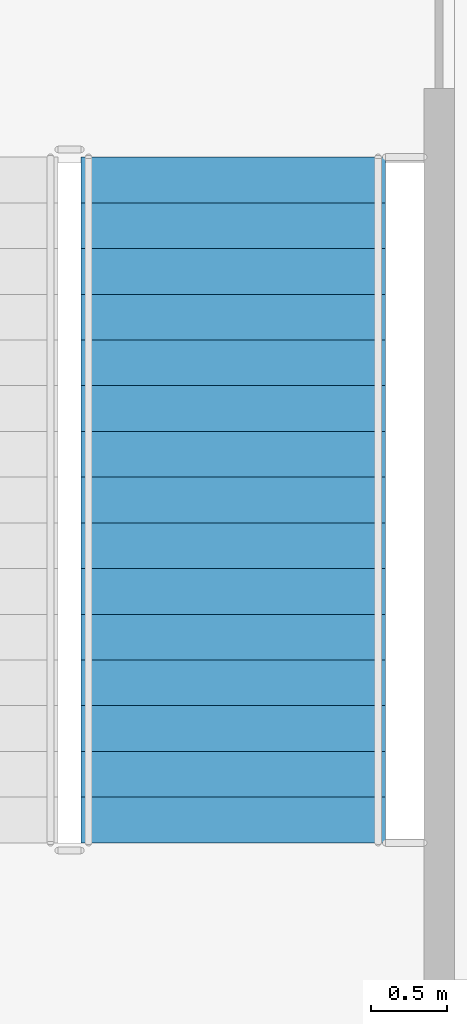
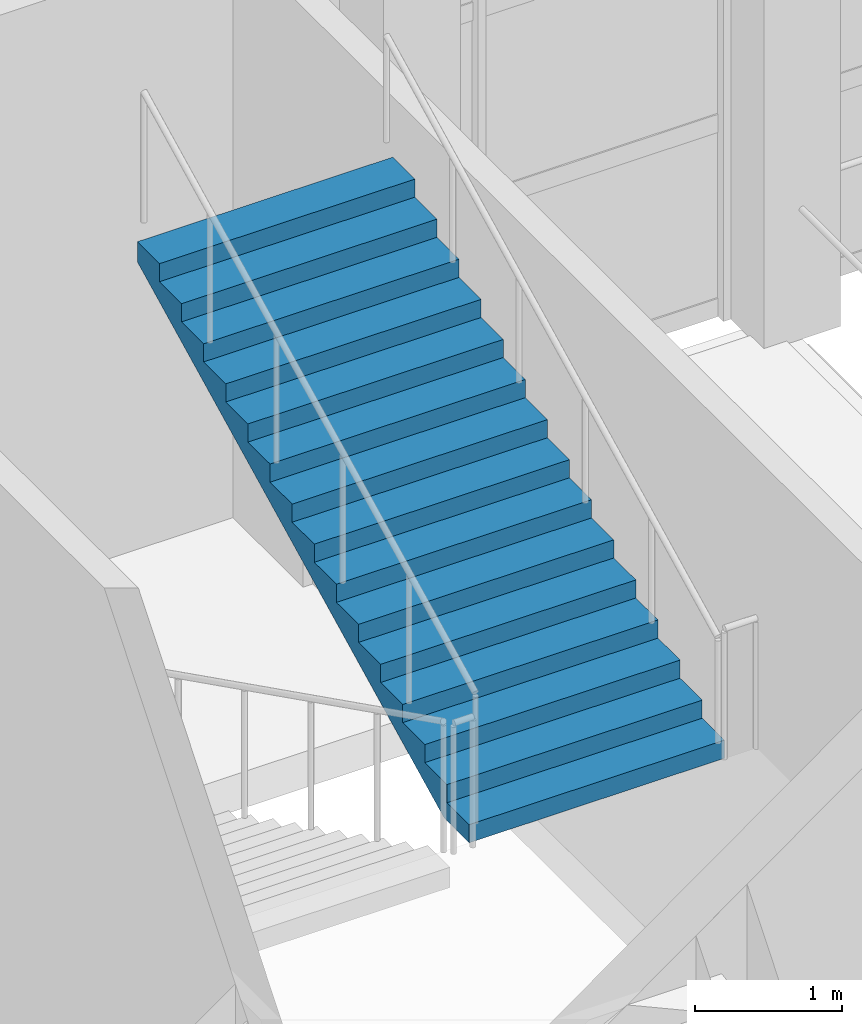
# One storey, part 65 of 86: 1 stair flight, 1 element without a shape of its own.
"""IFC4 building model written with IfcOpenShell, lengths in metres."""

from ifc_helpers import new_model, si_unit, direction, frame, origin, place, context, subcontext, project, spatial, faceted_brep, material, type_object, element, aggregate, save


model = new_model("IFC4")

# Units and contexts
model_context = context("Model", 3, precision=1e-05, world=origin(), true_north=direction((0.0, 1.0)))
body_context = subcontext(model_context, "Body", "Model", "MODEL_VIEW")
ifc_project = project(units=[si_unit("LENGTHUNIT", "METRE"), si_unit("AREAUNIT", "SQUARE_METRE"), si_unit("VOLUMEUNIT", "CUBIC_METRE"), si_unit("PLANEANGLEUNIT", "RADIAN"), si_unit("MASSUNIT", "GRAM", prefix="KILO")], contexts=[model_context])

# Site, building, storey
site_placement = place(None, origin())
site = spatial("IfcSite", under=ifc_project, at=site_placement, CompositionType="ELEMENT")
building_placement = place(site_placement, origin())
building = spatial("IfcBuilding", under=site, at=building_placement, Name="Kiln Court Media Centre", CompositionType="ELEMENT")
storey_placement = place(building_placement, frame((0.0, 0.0, 10.199951171875)))
storey = spatial("IfcBuildingStorey", under=building, at=storey_placement, Name="L02", CompositionType="ELEMENT", Elevation=10.199951171875)

# Stair, stair flight
ifc_material_1 = material(Name="Concrete C40/50", Category="concrete")
stair_type = type_object("IfcStairType", Name="Concrete C40/50 dog-leg stair 2000 wide, 150 riser", PredefinedType="HALF_TURN_STAIR", material=ifc_material_1)
stair_placement = place(storey_placement, origin())
stair = element("IfcStair", 1, at=stair_placement, inside=storey, type_object=stair_type, Name="ST-08 L02", PredefinedType="HALF_TURN_STAIR")
ifc_material_2 = material(Name="Concrete C40/50", Category="concrete")
stair_flight_type = type_object("IfcStairFlightType", Name="Concrete C40/50 stair flight 2000 wide, 150 riser, 300 going", PredefinedType="STRAIGHT", material=ifc_material_2)
stair_flight_placement = place(storey_placement, frame((32.14990234375, 59.89990234375, 2.400146484375), z_axis=(0.0, 0.0, 1.0), x_axis=(0.0, 1.0, 0.0)))
stair_flight = element("IfcStairFlight", 2, at=stair_flight_placement, type_object=stair_flight_type, Name="L02-ST-5007 flight 5015", NumberOfRisers=16, NumberOfTreads=15, PredefinedType="STRAIGHT", RiserHeight=0.15, TreadLength=0.3, context=body_context, shape_type="Brep", body=[
    faceted_brep([(0.335205078125, -1.0, 0.0), (4.5, -1.0, 2.08251953125), (4.5, -1.0, 2.25), (4.199951171875, -1.0, 2.25), (4.199951171875, -1.0, 2.10009765625), (3.89990234375, -1.0, 2.10009765625), (3.89990234375, -1.0, 1.949951171875), (3.60009765625, -1.0, 1.949951171875), (3.60009765625, -1.0, 1.800048828125), (3.300048828125, -1.0, 1.800048828125), (3.300048828125, -1.0, 1.64990234375), (3.0, -1.0, 1.64990234375), (3.0, -1.0, 1.5), (2.699951171875, -1.0, 1.5), (2.699951171875, -1.0, 1.35009765625), (2.39990234375, -1.0, 1.35009765625), (2.39990234375, -1.0, 1.199951171875), (2.10009765625, -1.0, 1.199951171875), (2.10009765625, -1.0, 1.050048828125), (1.800048828125, -1.0, 1.050048828125), (1.800048828125, -1.0, 0.89990234375), (1.5, -1.0, 0.89990234375), (1.5, -1.0, 0.75), (1.199951171875, -1.0, 0.75), (1.199951171875, -1.0, 0.60009765625), (0.89990234375, -1.0, 0.60009765625), (0.89990234375, -1.0, 0.449951171875), (0.60009765625, -1.0, 0.449951171875), (0.60009765625, -1.0, 0.300048828125), (0.300048828125, -1.0, 0.300048828125), (0.300048828125, -1.0, 0.14990234375), (0.0, -1.0, 0.14990234375), (0.0, -1.0, 0.0), (0.0, 1.0, 0.0), (0.0, 1.0, 0.14990234375), (0.300048828125, 1.0, 0.14990234375), (0.300048828125, 1.0, 0.300048828125), (0.60009765625, 1.0, 0.300048828125), (0.60009765625, 1.0, 0.449951171875), (0.89990234375, 1.0, 0.449951171875), (0.89990234375, 1.0, 0.60009765625), (1.199951171875, 1.0, 0.60009765625), (1.199951171875, 1.0, 0.75), (1.5, 1.0, 0.75), (1.5, 1.0, 0.89990234375), (1.800048828125, 1.0, 0.89990234375), (1.800048828125, 1.0, 1.050048828125), (2.10009765625, 1.0, 1.050048828125), (2.10009765625, 1.0, 1.199951171875), (2.39990234375, 1.0, 1.199951171875), (2.39990234375, 1.0, 1.35009765625), (2.699951171875, 1.0, 1.35009765625), (2.699951171875, 1.0, 1.5), (3.0, 1.0, 1.5), (3.0, 1.0, 1.64990234375), (3.300048828125, 1.0, 1.64990234375), (3.300048828125, 1.0, 1.800048828125), (3.60009765625, 1.0, 1.800048828125), (3.60009765625, 1.0, 1.949951171875), (3.89990234375, 1.0, 1.949951171875), (3.89990234375, 1.0, 2.10009765625), (4.199951171875, 1.0, 2.10009765625), (4.199951171875, 1.0, 2.25), (4.5, 1.0, 2.25), (4.5, 1.0, 2.08251953125), (0.335205078125, 1.0, 0.0), (4.5, 0.10009765625, 2.08251953125), (0.335205078125, 0.10009765625, 0.0), (4.5, 0.080078125, 2.08251953125), (0.335205078125, 0.080078125, 0.0), (4.5, 0.06005859375, 2.08251953125), (0.335205078125, 0.06005859375, 0.0), (4.5, 0.0400390625, 2.08251953125), (0.335205078125, 0.0400390625, 0.0), (4.5, 0.02001953125, 2.08251953125), (0.335205078125, 0.02001953125, 0.0), (4.5, 0.0, 2.08251953125), (0.335205078125, 0.0, 0.0), (4.5, -0.02001953125, 2.08251953125), (0.335205078125, -0.02001953125, 0.0), (4.5, -0.0400390625, 2.08251953125), (0.335205078125, -0.0400390625, 0.0), (4.5, -0.06005859375, 2.08251953125), (0.335205078125, -0.06005859375, 0.0), (4.5, -0.080078125, 2.08251953125), (0.335205078125, -0.080078125, 0.0), (4.5, -0.10009765625, 2.08251953125), (0.335205078125, -0.10009765625, 0.0), (4.5, 0.10009765625, 2.25), (4.5, 0.080078125, 2.25), (4.5, 0.06005859375, 2.25), (4.5, 0.0400390625, 2.25), (4.5, 0.02001953125, 2.25), (4.5, 0.0, 2.25), (4.5, -0.02001953125, 2.25), (4.5, -0.0400390625, 2.25), (4.5, -0.06005859375, 2.25), (4.5, -0.080078125, 2.25), (4.5, -0.10009765625, 2.25), (4.199951171875, 0.10009765625, 2.25), (4.199951171875, 0.080078125, 2.25), (4.199951171875, 0.06005859375, 2.25), (4.199951171875, 0.0400390625, 2.25), (4.199951171875, 0.02001953125, 2.25), (4.199951171875, 0.0, 2.25), (4.199951171875, -0.02001953125, 2.25), (4.199951171875, -0.0400390625, 2.25), (4.199951171875, -0.06005859375, 2.25), (4.199951171875, -0.080078125, 2.25), (4.199951171875, -0.10009765625, 2.25), (4.199951171875, 0.10009765625, 2.10009765625), (4.199951171875, 0.080078125, 2.10009765625), (4.199951171875, 0.06005859375, 2.10009765625), (4.199951171875, 0.0400390625, 2.10009765625), (4.199951171875, 0.02001953125, 2.10009765625), (4.199951171875, 0.0, 2.10009765625), (4.199951171875, -0.02001953125, 2.10009765625), (4.199951171875, -0.0400390625, 2.10009765625), (4.199951171875, -0.06005859375, 2.10009765625), (4.199951171875, -0.080078125, 2.10009765625), (4.199951171875, -0.10009765625, 2.10009765625), (3.89990234375, 0.10009765625, 2.10009765625), (3.89990234375, 0.080078125, 2.10009765625), (3.89990234375, 0.06005859375, 2.10009765625), (3.89990234375, 0.0400390625, 2.10009765625), (3.89990234375, 0.02001953125, 2.10009765625), (3.89990234375, 0.0, 2.10009765625), (3.89990234375, -0.02001953125, 2.10009765625), (3.89990234375, -0.0400390625, 2.10009765625), (3.89990234375, -0.06005859375, 2.10009765625), (3.89990234375, -0.080078125, 2.10009765625), (3.89990234375, -0.10009765625, 2.10009765625), (3.89990234375, 0.10009765625, 1.949951171875), (3.89990234375, 0.080078125, 1.949951171875), (3.89990234375, 0.06005859375, 1.949951171875), (3.89990234375, 0.0400390625, 1.949951171875), (3.89990234375, 0.02001953125, 1.949951171875), (3.89990234375, 0.0, 1.949951171875), (3.89990234375, -0.02001953125, 1.949951171875), (3.89990234375, -0.0400390625, 1.949951171875), (3.89990234375, -0.06005859375, 1.949951171875), (3.89990234375, -0.080078125, 1.949951171875), (3.89990234375, -0.10009765625, 1.949951171875), (3.60009765625, 0.10009765625, 1.949951171875), (3.60009765625, 0.080078125, 1.949951171875), (3.60009765625, 0.06005859375, 1.949951171875), (3.60009765625, 0.0400390625, 1.949951171875), (3.60009765625, 0.02001953125, 1.949951171875), (3.60009765625, 0.0, 1.949951171875), (3.60009765625, -0.02001953125, 1.949951171875), (3.60009765625, -0.0400390625, 1.949951171875), (3.60009765625, -0.06005859375, 1.949951171875), (3.60009765625, -0.080078125, 1.949951171875), (3.60009765625, -0.10009765625, 1.949951171875), (3.60009765625, 0.10009765625, 1.800048828125), (3.60009765625, 0.080078125, 1.800048828125), (3.60009765625, 0.06005859375, 1.800048828125), (3.60009765625, 0.0400390625, 1.800048828125), (3.60009765625, 0.02001953125, 1.800048828125), (3.60009765625, 0.0, 1.800048828125), (3.60009765625, -0.02001953125, 1.800048828125), (3.60009765625, -0.0400390625, 1.800048828125), (3.60009765625, -0.06005859375, 1.800048828125), (3.60009765625, -0.080078125, 1.800048828125), (3.60009765625, -0.10009765625, 1.800048828125), (3.300048828125, 0.10009765625, 1.800048828125), (3.300048828125, 0.080078125, 1.800048828125), (3.300048828125, 0.06005859375, 1.800048828125), (3.300048828125, 0.0400390625, 1.800048828125), (3.300048828125, 0.02001953125, 1.800048828125), (3.300048828125, 0.0, 1.800048828125), (3.300048828125, -0.02001953125, 1.800048828125), (3.300048828125, -0.0400390625, 1.800048828125), (3.300048828125, -0.06005859375, 1.800048828125), (3.300048828125, -0.080078125, 1.800048828125), (3.300048828125, -0.10009765625, 1.800048828125), (3.300048828125, 0.10009765625, 1.64990234375), (3.300048828125, 0.080078125, 1.64990234375), (3.300048828125, 0.06005859375, 1.64990234375), (3.300048828125, 0.0400390625, 1.64990234375), (3.300048828125, 0.02001953125, 1.64990234375), (3.300048828125, 0.0, 1.64990234375), (3.300048828125, -0.02001953125, 1.64990234375), (3.300048828125, -0.0400390625, 1.64990234375), (3.300048828125, -0.06005859375, 1.64990234375), (3.300048828125, -0.080078125, 1.64990234375), (3.300048828125, -0.10009765625, 1.64990234375), (3.0, 0.10009765625, 1.64990234375), (3.0, 0.080078125, 1.64990234375), (3.0, 0.06005859375, 1.64990234375), (3.0, 0.0400390625, 1.64990234375), (3.0, 0.02001953125, 1.64990234375), (3.0, 0.0, 1.64990234375), (3.0, -0.02001953125, 1.64990234375), (3.0, -0.0400390625, 1.64990234375), (3.0, -0.06005859375, 1.64990234375), (3.0, -0.080078125, 1.64990234375), (3.0, -0.10009765625, 1.64990234375), (3.0, 0.10009765625, 1.5), (3.0, 0.080078125, 1.5), (3.0, 0.06005859375, 1.5), (3.0, 0.0400390625, 1.5), (3.0, 0.02001953125, 1.5), (3.0, 0.0, 1.5), (3.0, -0.02001953125, 1.5), (3.0, -0.0400390625, 1.5), (3.0, -0.06005859375, 1.5), (3.0, -0.080078125, 1.5), (3.0, -0.10009765625, 1.5), (2.699951171875, 0.10009765625, 1.5), (2.699951171875, 0.080078125, 1.5), (2.699951171875, 0.06005859375, 1.5), (2.699951171875, 0.0400390625, 1.5), (2.699951171875, 0.02001953125, 1.5), (2.699951171875, 0.0, 1.5), (2.699951171875, -0.02001953125, 1.5), (2.699951171875, -0.0400390625, 1.5), (2.699951171875, -0.06005859375, 1.5), (2.699951171875, -0.080078125, 1.5), (2.699951171875, -0.10009765625, 1.5), (2.699951171875, 0.10009765625, 1.35009765625), (2.699951171875, 0.080078125, 1.35009765625), (2.699951171875, 0.06005859375, 1.35009765625), (2.699951171875, 0.0400390625, 1.35009765625), (2.699951171875, 0.02001953125, 1.35009765625), (2.699951171875, 0.0, 1.35009765625), (2.699951171875, -0.02001953125, 1.35009765625), (2.699951171875, -0.0400390625, 1.35009765625), (2.699951171875, -0.06005859375, 1.35009765625), (2.699951171875, -0.080078125, 1.35009765625), (2.699951171875, -0.10009765625, 1.35009765625), (2.39990234375, 0.10009765625, 1.35009765625), (2.39990234375, 0.080078125, 1.35009765625), (2.39990234375, 0.06005859375, 1.35009765625), (2.39990234375, 0.0400390625, 1.35009765625), (2.39990234375, 0.02001953125, 1.35009765625), (2.39990234375, 0.0, 1.35009765625), (2.39990234375, -0.02001953125, 1.35009765625), (2.39990234375, -0.0400390625, 1.35009765625), (2.39990234375, -0.06005859375, 1.35009765625), (2.39990234375, -0.080078125, 1.35009765625), (2.39990234375, -0.10009765625, 1.35009765625), (2.39990234375, 0.10009765625, 1.199951171875), (2.39990234375, 0.080078125, 1.199951171875), (2.39990234375, 0.06005859375, 1.199951171875), (2.39990234375, 0.0400390625, 1.199951171875), (2.39990234375, 0.02001953125, 1.199951171875), (2.39990234375, 0.0, 1.199951171875), (2.39990234375, -0.02001953125, 1.199951171875), (2.39990234375, -0.0400390625, 1.199951171875), (2.39990234375, -0.06005859375, 1.199951171875), (2.39990234375, -0.080078125, 1.199951171875), (2.39990234375, -0.10009765625, 1.199951171875), (2.10009765625, 0.10009765625, 1.199951171875), (2.10009765625, 0.080078125, 1.199951171875), (2.10009765625, 0.06005859375, 1.199951171875), (2.10009765625, 0.0400390625, 1.199951171875), (2.10009765625, 0.02001953125, 1.199951171875), (2.10009765625, 0.0, 1.199951171875), (2.10009765625, -0.02001953125, 1.199951171875), (2.10009765625, -0.0400390625, 1.199951171875), (2.10009765625, -0.06005859375, 1.199951171875), (2.10009765625, -0.080078125, 1.199951171875), (2.10009765625, -0.10009765625, 1.199951171875), (2.10009765625, 0.10009765625, 1.050048828125), (2.10009765625, 0.080078125, 1.050048828125), (2.10009765625, 0.06005859375, 1.050048828125), (2.10009765625, 0.0400390625, 1.050048828125), (2.10009765625, 0.02001953125, 1.050048828125), (2.10009765625, 0.0, 1.050048828125), (2.10009765625, -0.02001953125, 1.050048828125), (2.10009765625, -0.0400390625, 1.050048828125), (2.10009765625, -0.06005859375, 1.050048828125), (2.10009765625, -0.080078125, 1.050048828125), (2.10009765625, -0.10009765625, 1.050048828125), (1.800048828125, 0.10009765625, 1.050048828125), (1.800048828125, 0.080078125, 1.050048828125), (1.800048828125, 0.06005859375, 1.050048828125), (1.800048828125, 0.0400390625, 1.050048828125), (1.800048828125, 0.02001953125, 1.050048828125), (1.800048828125, 0.0, 1.050048828125), (1.800048828125, -0.02001953125, 1.050048828125), (1.800048828125, -0.0400390625, 1.050048828125), (1.800048828125, -0.06005859375, 1.050048828125), (1.800048828125, -0.080078125, 1.050048828125), (1.800048828125, -0.10009765625, 1.050048828125), (1.800048828125, 0.10009765625, 0.89990234375), (1.800048828125, 0.080078125, 0.89990234375), (1.800048828125, 0.06005859375, 0.89990234375), (1.800048828125, 0.0400390625, 0.89990234375), (1.800048828125, 0.02001953125, 0.89990234375), (1.800048828125, 0.0, 0.89990234375), (1.800048828125, -0.02001953125, 0.89990234375), (1.800048828125, -0.0400390625, 0.89990234375), (1.800048828125, -0.06005859375, 0.89990234375), (1.800048828125, -0.080078125, 0.89990234375), (1.800048828125, -0.10009765625, 0.89990234375), (1.5, 0.10009765625, 0.89990234375), (1.5, 0.080078125, 0.89990234375), (1.5, 0.06005859375, 0.89990234375), (1.5, 0.0400390625, 0.89990234375), (1.5, 0.02001953125, 0.89990234375), (1.5, 0.0, 0.89990234375), (1.5, -0.02001953125, 0.89990234375), (1.5, -0.0400390625, 0.89990234375), (1.5, -0.06005859375, 0.89990234375), (1.5, -0.080078125, 0.89990234375), (1.5, -0.10009765625, 0.89990234375), (1.5, 0.10009765625, 0.75), (1.5, 0.080078125, 0.75), (1.5, 0.06005859375, 0.75), (1.5, 0.0400390625, 0.75), (1.5, 0.02001953125, 0.75), (1.5, 0.0, 0.75), (1.5, -0.02001953125, 0.75), (1.5, -0.0400390625, 0.75), (1.5, -0.06005859375, 0.75), (1.5, -0.080078125, 0.75), (1.5, -0.10009765625, 0.75), (1.199951171875, 0.10009765625, 0.75), (1.199951171875, 0.080078125, 0.75), (1.199951171875, 0.06005859375, 0.75), (1.199951171875, 0.0400390625, 0.75), (1.199951171875, 0.02001953125, 0.75), (1.199951171875, 0.0, 0.75), (1.199951171875, -0.02001953125, 0.75), (1.199951171875, -0.0400390625, 0.75), (1.199951171875, -0.06005859375, 0.75), (1.199951171875, -0.080078125, 0.75), (1.199951171875, -0.10009765625, 0.75), (1.199951171875, 0.10009765625, 0.60009765625), (1.199951171875, 0.080078125, 0.60009765625), (1.199951171875, 0.06005859375, 0.60009765625), (1.199951171875, 0.0400390625, 0.60009765625), (1.199951171875, 0.02001953125, 0.60009765625), (1.199951171875, 0.0, 0.60009765625), (1.199951171875, -0.02001953125, 0.60009765625), (1.199951171875, -0.0400390625, 0.60009765625), (1.199951171875, -0.06005859375, 0.60009765625), (1.199951171875, -0.080078125, 0.60009765625), (1.199951171875, -0.10009765625, 0.60009765625), (0.89990234375, 0.10009765625, 0.60009765625), (0.89990234375, 0.080078125, 0.60009765625), (0.89990234375, 0.06005859375, 0.60009765625), (0.89990234375, 0.0400390625, 0.60009765625), (0.89990234375, 0.02001953125, 0.60009765625), (0.89990234375, 0.0, 0.60009765625), (0.89990234375, -0.02001953125, 0.60009765625), (0.89990234375, -0.0400390625, 0.60009765625), (0.89990234375, -0.06005859375, 0.60009765625), (0.89990234375, -0.080078125, 0.60009765625), (0.89990234375, -0.10009765625, 0.60009765625), (0.89990234375, 0.10009765625, 0.449951171875), (0.89990234375, 0.080078125, 0.449951171875), (0.89990234375, 0.06005859375, 0.449951171875), (0.89990234375, 0.0400390625, 0.449951171875), (0.89990234375, 0.02001953125, 0.449951171875), (0.89990234375, 0.0, 0.449951171875), (0.89990234375, -0.02001953125, 0.449951171875), (0.89990234375, -0.0400390625, 0.449951171875), (0.89990234375, -0.06005859375, 0.449951171875), (0.89990234375, -0.080078125, 0.449951171875), (0.89990234375, -0.10009765625, 0.449951171875), (0.60009765625, 0.10009765625, 0.449951171875), (0.60009765625, 0.080078125, 0.449951171875), (0.60009765625, 0.06005859375, 0.449951171875), (0.60009765625, 0.0400390625, 0.449951171875), (0.60009765625, 0.02001953125, 0.449951171875), (0.60009765625, 0.0, 0.449951171875), (0.60009765625, -0.02001953125, 0.449951171875), (0.60009765625, -0.0400390625, 0.449951171875), (0.60009765625, -0.06005859375, 0.449951171875), (0.60009765625, -0.080078125, 0.449951171875), (0.60009765625, -0.10009765625, 0.449951171875), (0.60009765625, 0.10009765625, 0.300048828125), (0.60009765625, 0.080078125, 0.300048828125), (0.60009765625, 0.06005859375, 0.300048828125), (0.60009765625, 0.0400390625, 0.300048828125), (0.60009765625, 0.02001953125, 0.300048828125), (0.60009765625, 0.0, 0.300048828125), (0.60009765625, -0.02001953125, 0.300048828125), (0.60009765625, -0.0400390625, 0.300048828125), (0.60009765625, -0.06005859375, 0.300048828125), (0.60009765625, -0.080078125, 0.300048828125), (0.60009765625, -0.10009765625, 0.300048828125), (0.300048828125, 0.10009765625, 0.300048828125), (0.300048828125, 0.080078125, 0.300048828125), (0.300048828125, 0.06005859375, 0.300048828125), (0.300048828125, 0.0400390625, 0.300048828125), (0.300048828125, 0.02001953125, 0.300048828125), (0.300048828125, 0.0, 0.300048828125), (0.300048828125, -0.02001953125, 0.300048828125), (0.300048828125, -0.0400390625, 0.300048828125), (0.300048828125, -0.06005859375, 0.300048828125), (0.300048828125, -0.080078125, 0.300048828125), (0.300048828125, -0.10009765625, 0.300048828125), (0.300048828125, 0.10009765625, 0.14990234375), (0.300048828125, 0.080078125, 0.14990234375), (0.300048828125, 0.06005859375, 0.14990234375), (0.300048828125, 0.0400390625, 0.14990234375), (0.300048828125, 0.02001953125, 0.14990234375), (0.300048828125, 0.0, 0.14990234375), (0.300048828125, -0.02001953125, 0.14990234375), (0.300048828125, -0.0400390625, 0.14990234375), (0.300048828125, -0.06005859375, 0.14990234375), (0.300048828125, -0.080078125, 0.14990234375), (0.300048828125, -0.10009765625, 0.14990234375), (0.0, 0.10009765625, 0.14990234375), (0.0, 0.080078125, 0.14990234375), (0.0, 0.06005859375, 0.14990234375), (0.0, 0.0400390625, 0.14990234375), (0.0, 0.02001953125, 0.14990234375), (0.0, 0.0, 0.14990234375), (0.0, -0.02001953125, 0.14990234375), (0.0, -0.0400390625, 0.14990234375), (0.0, -0.06005859375, 0.14990234375), (0.0, -0.080078125, 0.14990234375), (0.0, -0.10009765625, 0.14990234375), (0.0, 0.10009765625, 0.0), (0.0, 0.080078125, 0.0), (0.0, 0.06005859375, 0.0), (0.0, 0.0400390625, 0.0), (0.0, 0.02001953125, 0.0), (0.0, 0.0, 0.0), (0.0, -0.02001953125, 0.0), (0.0, -0.0400390625, 0.0), (0.0, -0.06005859375, 0.0), (0.0, -0.080078125, 0.0), (0.0, -0.10009765625, 0.0)], [[[0, 1, 2, 3, 4, 5, 6, 7, 8, 9, 10, 11, 12, 13, 14, 15, 16, 17, 18, 19, 20, 21, 22, 23, 24, 25, 26, 27, 28, 29, 30, 31, 32]], [[33, 34, 35, 36, 37, 38, 39, 40, 41, 42, 43, 44, 45, 46, 47, 48, 49, 50, 51, 52, 53, 54, 55, 56, 57, 58, 59, 60, 61, 62, 63, 64, 65]], [[65, 64, 66, 67]], [[67, 66, 68, 69]], [[69, 68, 70, 71]], [[71, 70, 72, 73]], [[73, 72, 74, 75]], [[75, 74, 76, 77]], [[77, 76, 78, 79]], [[79, 78, 80, 81]], [[81, 80, 82, 83]], [[83, 82, 84, 85]], [[85, 84, 86, 87]], [[87, 86, 1, 0]], [[64, 63, 88, 66]], [[66, 88, 89, 68]], [[68, 89, 90, 70]], [[70, 90, 91, 72]], [[72, 91, 92, 74]], [[74, 92, 93, 76]], [[76, 93, 94, 78]], [[78, 94, 95, 80]], [[80, 95, 96, 82]], [[82, 96, 97, 84]], [[84, 97, 98, 86]], [[86, 98, 2, 1]], [[63, 62, 99, 88]], [[88, 99, 100, 89]], [[89, 100, 101, 90]], [[90, 101, 102, 91]], [[91, 102, 103, 92]], [[92, 103, 104, 93]], [[93, 104, 105, 94]], [[94, 105, 106, 95]], [[95, 106, 107, 96]], [[96, 107, 108, 97]], [[97, 108, 109, 98]], [[98, 109, 3, 2]], [[62, 61, 110, 99]], [[99, 110, 111, 100]], [[100, 111, 112, 101]], [[101, 112, 113, 102]], [[102, 113, 114, 103]], [[103, 114, 115, 104]], [[104, 115, 116, 105]], [[105, 116, 117, 106]], [[106, 117, 118, 107]], [[107, 118, 119, 108]], [[108, 119, 120, 109]], [[109, 120, 4, 3]], [[61, 60, 121, 110]], [[110, 121, 122, 111]], [[111, 122, 123, 112]], [[112, 123, 124, 113]], [[113, 124, 125, 114]], [[114, 125, 126, 115]], [[115, 126, 127, 116]], [[116, 127, 128, 117]], [[117, 128, 129, 118]], [[118, 129, 130, 119]], [[119, 130, 131, 120]], [[120, 131, 5, 4]], [[60, 59, 132, 121]], [[121, 132, 133, 122]], [[122, 133, 134, 123]], [[123, 134, 135, 124]], [[124, 135, 136, 125]], [[125, 136, 137, 126]], [[126, 137, 138, 127]], [[127, 138, 139, 128]], [[128, 139, 140, 129]], [[129, 140, 141, 130]], [[130, 141, 142, 131]], [[131, 142, 6, 5]], [[59, 58, 143, 132]], [[132, 143, 144, 133]], [[133, 144, 145, 134]], [[134, 145, 146, 135]], [[135, 146, 147, 136]], [[136, 147, 148, 137]], [[137, 148, 149, 138]], [[138, 149, 150, 139]], [[139, 150, 151, 140]], [[140, 151, 152, 141]], [[141, 152, 153, 142]], [[142, 153, 7, 6]], [[58, 57, 154, 143]], [[143, 154, 155, 144]], [[144, 155, 156, 145]], [[145, 156, 157, 146]], [[146, 157, 158, 147]], [[147, 158, 159, 148]], [[148, 159, 160, 149]], [[149, 160, 161, 150]], [[150, 161, 162, 151]], [[151, 162, 163, 152]], [[152, 163, 164, 153]], [[153, 164, 8, 7]], [[57, 56, 165, 154]], [[154, 165, 166, 155]], [[155, 166, 167, 156]], [[156, 167, 168, 157]], [[157, 168, 169, 158]], [[158, 169, 170, 159]], [[159, 170, 171, 160]], [[160, 171, 172, 161]], [[161, 172, 173, 162]], [[162, 173, 174, 163]], [[163, 174, 175, 164]], [[164, 175, 9, 8]], [[56, 55, 176, 165]], [[165, 176, 177, 166]], [[166, 177, 178, 167]], [[167, 178, 179, 168]], [[168, 179, 180, 169]], [[169, 180, 181, 170]], [[170, 181, 182, 171]], [[171, 182, 183, 172]], [[172, 183, 184, 173]], [[173, 184, 185, 174]], [[174, 185, 186, 175]], [[175, 186, 10, 9]], [[55, 54, 187, 176]], [[176, 187, 188, 177]], [[177, 188, 189, 178]], [[178, 189, 190, 179]], [[179, 190, 191, 180]], [[180, 191, 192, 181]], [[181, 192, 193, 182]], [[182, 193, 194, 183]], [[183, 194, 195, 184]], [[184, 195, 196, 185]], [[185, 196, 197, 186]], [[186, 197, 11, 10]], [[54, 53, 198, 187]], [[187, 198, 199, 188]], [[188, 199, 200, 189]], [[189, 200, 201, 190]], [[190, 201, 202, 191]], [[191, 202, 203, 192]], [[192, 203, 204, 193]], [[193, 204, 205, 194]], [[194, 205, 206, 195]], [[195, 206, 207, 196]], [[196, 207, 208, 197]], [[197, 208, 12, 11]], [[53, 52, 209, 198]], [[198, 209, 210, 199]], [[199, 210, 211, 200]], [[200, 211, 212, 201]], [[201, 212, 213, 202]], [[202, 213, 214, 203]], [[203, 214, 215, 204]], [[204, 215, 216, 205]], [[205, 216, 217, 206]], [[206, 217, 218, 207]], [[207, 218, 219, 208]], [[208, 219, 13, 12]], [[52, 51, 220, 209]], [[209, 220, 221, 210]], [[210, 221, 222, 211]], [[211, 222, 223, 212]], [[212, 223, 224, 213]], [[213, 224, 225, 214]], [[214, 225, 226, 215]], [[215, 226, 227, 216]], [[216, 227, 228, 217]], [[217, 228, 229, 218]], [[218, 229, 230, 219]], [[219, 230, 14, 13]], [[51, 50, 231, 220]], [[220, 231, 232, 221]], [[221, 232, 233, 222]], [[222, 233, 234, 223]], [[223, 234, 235, 224]], [[224, 235, 236, 225]], [[225, 236, 237, 226]], [[226, 237, 238, 227]], [[227, 238, 239, 228]], [[228, 239, 240, 229]], [[229, 240, 241, 230]], [[230, 241, 15, 14]], [[50, 49, 242, 231]], [[231, 242, 243, 232]], [[232, 243, 244, 233]], [[233, 244, 245, 234]], [[234, 245, 246, 235]], [[235, 246, 247, 236]], [[236, 247, 248, 237]], [[237, 248, 249, 238]], [[238, 249, 250, 239]], [[239, 250, 251, 240]], [[240, 251, 252, 241]], [[241, 252, 16, 15]], [[49, 48, 253, 242]], [[242, 253, 254, 243]], [[243, 254, 255, 244]], [[244, 255, 256, 245]], [[245, 256, 257, 246]], [[246, 257, 258, 247]], [[247, 258, 259, 248]], [[248, 259, 260, 249]], [[249, 260, 261, 250]], [[250, 261, 262, 251]], [[251, 262, 263, 252]], [[252, 263, 17, 16]], [[48, 47, 264, 253]], [[253, 264, 265, 254]], [[254, 265, 266, 255]], [[255, 266, 267, 256]], [[256, 267, 268, 257]], [[257, 268, 269, 258]], [[258, 269, 270, 259]], [[259, 270, 271, 260]], [[260, 271, 272, 261]], [[261, 272, 273, 262]], [[262, 273, 274, 263]], [[263, 274, 18, 17]], [[47, 46, 275, 264]], [[264, 275, 276, 265]], [[265, 276, 277, 266]], [[266, 277, 278, 267]], [[267, 278, 279, 268]], [[268, 279, 280, 269]], [[269, 280, 281, 270]], [[270, 281, 282, 271]], [[271, 282, 283, 272]], [[272, 283, 284, 273]], [[273, 284, 285, 274]], [[274, 285, 19, 18]], [[46, 45, 286, 275]], [[275, 286, 287, 276]], [[276, 287, 288, 277]], [[277, 288, 289, 278]], [[278, 289, 290, 279]], [[279, 290, 291, 280]], [[280, 291, 292, 281]], [[281, 292, 293, 282]], [[282, 293, 294, 283]], [[283, 294, 295, 284]], [[284, 295, 296, 285]], [[285, 296, 20, 19]], [[45, 44, 297, 286]], [[286, 297, 298, 287]], [[287, 298, 299, 288]], [[288, 299, 300, 289]], [[289, 300, 301, 290]], [[290, 301, 302, 291]], [[291, 302, 303, 292]], [[292, 303, 304, 293]], [[293, 304, 305, 294]], [[294, 305, 306, 295]], [[295, 306, 307, 296]], [[296, 307, 21, 20]], [[44, 43, 308, 297]], [[297, 308, 309, 298]], [[298, 309, 310, 299]], [[299, 310, 311, 300]], [[300, 311, 312, 301]], [[301, 312, 313, 302]], [[302, 313, 314, 303]], [[303, 314, 315, 304]], [[304, 315, 316, 305]], [[305, 316, 317, 306]], [[306, 317, 318, 307]], [[307, 318, 22, 21]], [[43, 42, 319, 308]], [[308, 319, 320, 309]], [[309, 320, 321, 310]], [[310, 321, 322, 311]], [[311, 322, 323, 312]], [[312, 323, 324, 313]], [[313, 324, 325, 314]], [[314, 325, 326, 315]], [[315, 326, 327, 316]], [[316, 327, 328, 317]], [[317, 328, 329, 318]], [[318, 329, 23, 22]], [[42, 41, 330, 319]], [[319, 330, 331, 320]], [[320, 331, 332, 321]], [[321, 332, 333, 322]], [[322, 333, 334, 323]], [[323, 334, 335, 324]], [[324, 335, 336, 325]], [[325, 336, 337, 326]], [[326, 337, 338, 327]], [[327, 338, 339, 328]], [[328, 339, 340, 329]], [[329, 340, 24, 23]], [[41, 40, 341, 330]], [[330, 341, 342, 331]], [[331, 342, 343, 332]], [[332, 343, 344, 333]], [[333, 344, 345, 334]], [[334, 345, 346, 335]], [[335, 346, 347, 336]], [[336, 347, 348, 337]], [[337, 348, 349, 338]], [[338, 349, 350, 339]], [[339, 350, 351, 340]], [[340, 351, 25, 24]], [[40, 39, 352, 341]], [[341, 352, 353, 342]], [[342, 353, 354, 343]], [[343, 354, 355, 344]], [[344, 355, 356, 345]], [[345, 356, 357, 346]], [[346, 357, 358, 347]], [[347, 358, 359, 348]], [[348, 359, 360, 349]], [[349, 360, 361, 350]], [[350, 361, 362, 351]], [[351, 362, 26, 25]], [[39, 38, 363, 352]], [[352, 363, 364, 353]], [[353, 364, 365, 354]], [[354, 365, 366, 355]], [[355, 366, 367, 356]], [[356, 367, 368, 357]], [[357, 368, 369, 358]], [[358, 369, 370, 359]], [[359, 370, 371, 360]], [[360, 371, 372, 361]], [[361, 372, 373, 362]], [[362, 373, 27, 26]], [[38, 37, 374, 363]], [[363, 374, 375, 364]], [[364, 375, 376, 365]], [[365, 376, 377, 366]], [[366, 377, 378, 367]], [[367, 378, 379, 368]], [[368, 379, 380, 369]], [[369, 380, 381, 370]], [[370, 381, 382, 371]], [[371, 382, 383, 372]], [[372, 383, 384, 373]], [[373, 384, 28, 27]], [[37, 36, 385, 374]], [[374, 385, 386, 375]], [[375, 386, 387, 376]], [[376, 387, 388, 377]], [[377, 388, 389, 378]], [[378, 389, 390, 379]], [[379, 390, 391, 380]], [[380, 391, 392, 381]], [[381, 392, 393, 382]], [[382, 393, 394, 383]], [[383, 394, 395, 384]], [[384, 395, 29, 28]], [[36, 35, 396, 385]], [[385, 396, 397, 386]], [[386, 397, 398, 387]], [[387, 398, 399, 388]], [[388, 399, 400, 389]], [[389, 400, 401, 390]], [[390, 401, 402, 391]], [[391, 402, 403, 392]], [[392, 403, 404, 393]], [[393, 404, 405, 394]], [[394, 405, 406, 395]], [[395, 406, 30, 29]], [[35, 34, 407, 396]], [[396, 407, 408, 397]], [[397, 408, 409, 398]], [[398, 409, 410, 399]], [[399, 410, 411, 400]], [[400, 411, 412, 401]], [[401, 412, 413, 402]], [[402, 413, 414, 403]], [[403, 414, 415, 404]], [[404, 415, 416, 405]], [[405, 416, 417, 406]], [[406, 417, 31, 30]], [[34, 33, 418, 407]], [[407, 418, 419, 408]], [[408, 419, 420, 409]], [[409, 420, 421, 410]], [[410, 421, 422, 411]], [[411, 422, 423, 412]], [[412, 423, 424, 413]], [[413, 424, 425, 414]], [[414, 425, 426, 415]], [[415, 426, 427, 416]], [[416, 427, 428, 417]], [[417, 428, 32, 31]], [[33, 65, 67, 418]], [[418, 67, 69, 419]], [[419, 69, 71, 420]], [[420, 71, 73, 421]], [[421, 73, 75, 422]], [[422, 75, 77, 423]], [[423, 77, 79, 424]], [[424, 79, 81, 425]], [[425, 81, 83, 426]], [[426, 83, 85, 427]], [[427, 85, 87, 428]], [[428, 87, 0, 32]]]),
])
aggregate(stair, [stair_flight])

save(model, "model.ifc")
